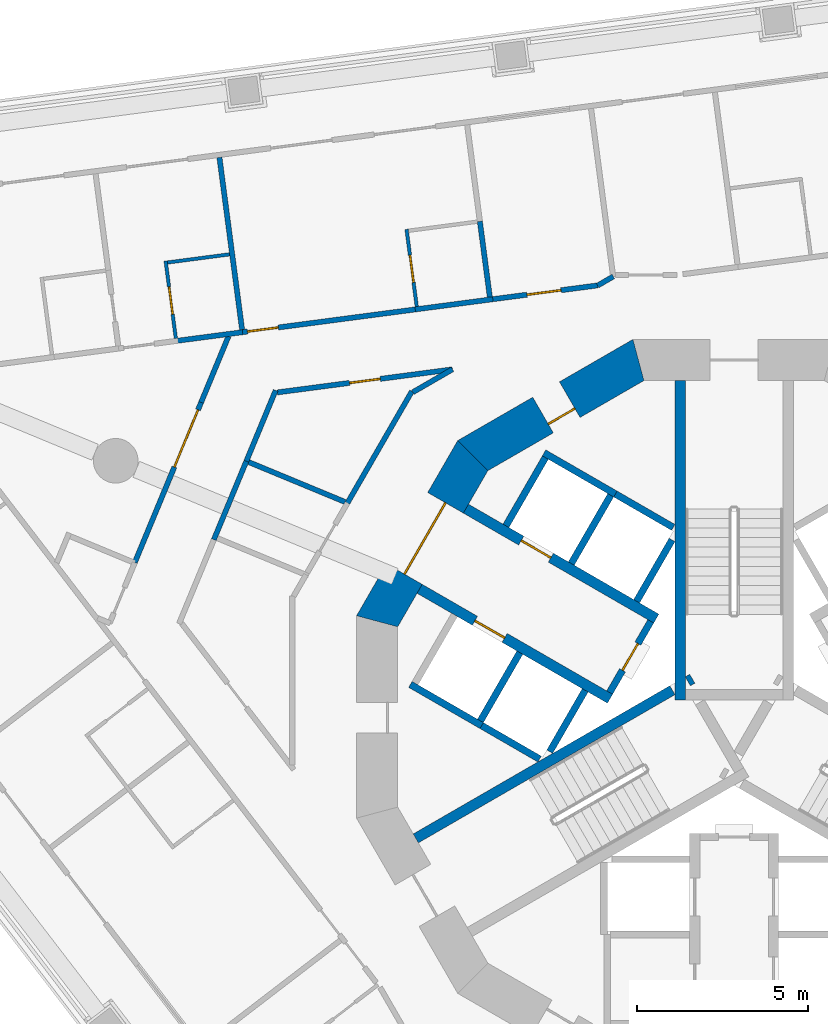
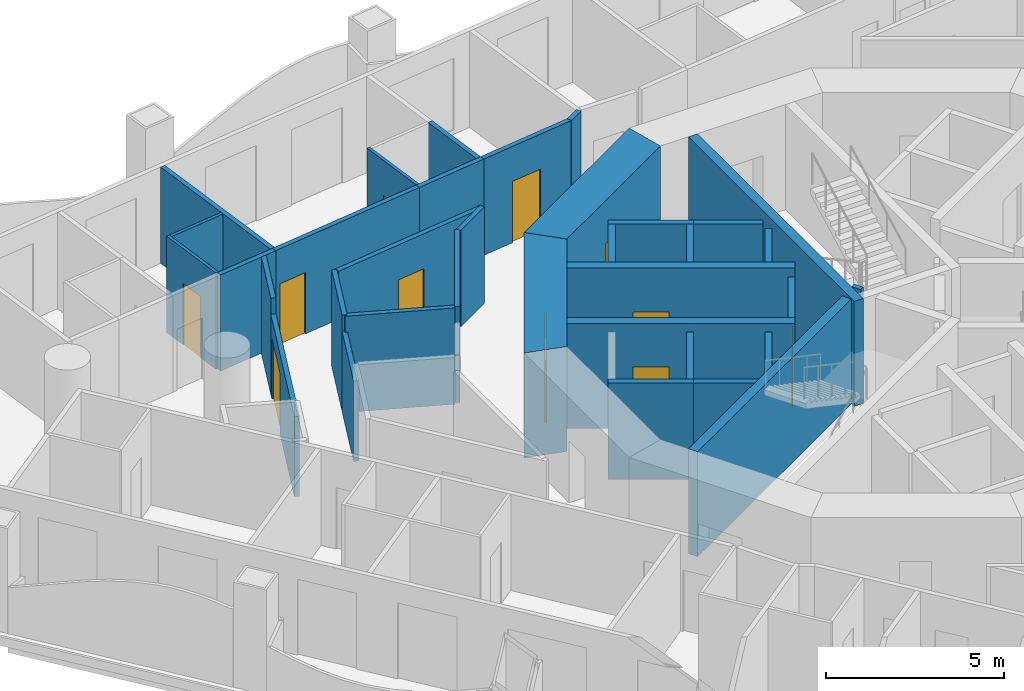
# One storey, part 7 of 19: 35 walls, 11 doors, 11 openings.
"""IFC4 building model written with IfcOpenShell, lengths in metres."""

from ifc_helpers import new_model, si_unit, direction, frame, frame_2d, origin, place, context, subcontext, project, spatial, polyline, rectangle, outline, extrude, material, layer, layer_set, type_object, element, fill, save


model = new_model("IFC4")

# Units and contexts
model_context = context("Model", 3, precision=1e-05, world=origin(), true_north=direction((0.0, 1.0)))
body_context = subcontext(model_context, "Body", "Model", "MODEL_VIEW")
ifc_project = project(units=[si_unit("LENGTHUNIT", "METRE"), si_unit("AREAUNIT", "SQUARE_METRE"), si_unit("VOLUMEUNIT", "CUBIC_METRE"), si_unit("PLANEANGLEUNIT", "RADIAN"), si_unit("MASSUNIT", "GRAM", prefix="KILO")], contexts=[model_context])

# Site, building, storey
site_placement = place(None, origin())
site = spatial("IfcSite", under=ifc_project, at=site_placement, CompositionType="ELEMENT")
building_placement = place(site_placement, origin())
building = spatial("IfcBuilding", under=site, at=building_placement, Name="Trine Commons Tower", CompositionType="ELEMENT")
storey_placement = place(building_placement, frame((0.0, 0.0, 75.60009765625)))
storey = spatial("IfcBuildingStorey", under=building, at=storey_placement, Name="L18", CompositionType="ELEMENT", Elevation=75.60009765625)

# Wall, opening, door
ifc_material_1 = material(Name="Fire-rated gypsum shaft wall system")
ifc_layer_1 = layer(ifc_material_1, 0.199951171875)
ifc_layer_set_1 = layer_set([ifc_layer_1], Name="Fire-rated gypsum shaft wall system")
wall_type_1 = type_object("IfcWallType", Name="Lobby end wall 200 mm, EI 120", PredefinedType="PARTITIONING", material=ifc_layer_set_1)
wall_1_placement = place(storey_placement, frame((77.569091796875, 65.2890625, 0.0), z_axis=(0.0, 0.0, 1.0), x_axis=(-0.50012165622, -0.865955154139, 0.0)))
wall_1 = element("IfcWall", 1, at=wall_1_placement, inside=storey, type_object=wall_type_1, Name="Lobby end wall L18", PredefinedType="PARTITIONING", context=body_context, shape_type="SweptSolid", body=[
    extrude(rectangle(XDim=2.39990234375, YDim=0.199951171875, at=frame_2d((1.199951171875, 0.0))), origin(), (0.0, 0.0, 1.0), 3.2998046875),
])
opening_1_placement = place(wall_1_placement, frame((0.749755859375, 0.0, 0.0)))
opening_1 = element("IfcOpeningElement", 2, at=opening_1_placement, cuts=wall_1, Name="Opening K05.07", PredefinedType="OPENING", context=body_context, shape_type="SweptSolid", body=[
    extrude(rectangle(XDim=0.89990234375, YDim=2.10009765625, at=frame_2d((0.449951171875, 1.050048828125))), frame((0.0, 0.10986328125, 0.0), z_axis=(0.0, -1.0, 0.0), x_axis=(1.0, 0.0, 0.0)), (0.0, 0.0, 1.0), 0.219970703125),
])
ifc_material_2 = material(Name="Steel door leaf, fire-rated", Category="steel")
door_type_1 = type_object("IfcDoorType", Name="Riser access door, single leaf 900 x 2100, FD60", OperationType="SINGLE_SWING_LEFT", PredefinedType="DOOR", material=ifc_material_2)
door_1_placement = place(opening_1_placement, frame((0.89990234375, 0.0, 0.0), z_axis=(0.0, 0.0, 1.0), x_axis=(-1.0, 0.0, 0.0)))
door_1 = element("IfcDoor", 3, at=door_1_placement, inside=storey, type_object=door_type_1, Name="Riser door, Mechanical riser L18", OperationType="SINGLE_SWING_RIGHT", OverallHeight=2.10009765625, OverallWidth=0.89990234375, PredefinedType="DOOR", context=body_context, shape_type="SweptSolid", body=[
    extrude(rectangle(XDim=0.89990234375, YDim=2.10009765625, at=frame_2d((0.449951171875, 1.050048828125))), frame((0.0, 0.02490234375, 0.0), z_axis=(0.0, -1.0, 0.0), x_axis=(1.0, 0.0, 0.0)), (0.0, 0.0, 1.0), 0.050048828125),
])
fill(opening_1, door_1)

ifc_material_3 = material(Name="Concrete C80/95", Category="concrete")
ifc_layer_2 = layer(ifc_material_3, 1.199951171875)
ifc_layer_set_2 = layer_set([ifc_layer_2], Name="Concrete C80/95")
wall_type_2 = type_object("IfcWallType", Name="RC shear wall 1200 mm, C80/95", PredefinedType="SHEAR", material=ifc_layer_set_2)
wall_2_placement = place(storey_placement, frame((77.349609375, 72.991943359375, 0.0), z_axis=(0.0, 0.0, 1.0), x_axis=(-0.866037463336, -0.499979111662, 0.0)))
wall_2 = element("IfcWall", 4, at=wall_2_placement, inside=storey, type_object=wall_type_2, Name="Core wall CWB-05 L18", PredefinedType="SHEAR", context=body_context, shape_type="SweptSolid", body=[
    extrude(outline(polyline([(0.0, -0.60009765625), (5.901123046875, -0.60009765625), (5.57958984375, 0.60009765625), (0.321533203125, 0.60009765625), (0.0, -0.60009765625)])), origin(), (0.0, 0.0, 1.0), 3.599853515625),
])
opening_2_placement = place(wall_2_placement, frame((2.474853515625, 0.0, 0.0)))
opening_2 = element("IfcOpeningElement", 5, at=opening_2_placement, cuts=wall_2, Name="Opening K05.12", PredefinedType="OPENING", context=body_context, shape_type="SweptSolid", body=[
    extrude(rectangle(XDim=0.89990234375, YDim=2.10009765625, at=frame_2d((0.449951171875, 1.050048828125))), frame((0.0, 0.60986328125, 0.0), z_axis=(0.0, -1.0, 0.0), x_axis=(1.0, 0.0, 0.0)), (0.0, 0.0, 1.0), 1.219970703125),
])
door_type_2 = type_object("IfcDoorType", Name="Core room door, single leaf 900 x 2100, FD30S", OperationType="SINGLE_SWING_LEFT", PredefinedType="DOOR", material=ifc_material_2)
door_2_placement = place(opening_2_placement, origin())
door_2 = element("IfcDoor", 6, at=door_2_placement, inside=storey, type_object=door_type_2, Name="Door to Accessible WC L18", OperationType="SINGLE_SWING_LEFT", OverallHeight=2.10009765625, OverallWidth=0.89990234375, PredefinedType="DOOR", context=body_context, shape_type="SweptSolid", body=[
    extrude(rectangle(XDim=0.89990234375, YDim=2.10009765625, at=frame_2d((0.449951171875, 1.050048828125))), frame((0.0, 0.3251953125, 0.0), z_axis=(0.0, -1.0, 0.0), x_axis=(1.0, 0.0, 0.0)), (0.0, 0.0, 1.0), 0.050048828125),
])
fill(opening_2, door_2)

wall_3_placement = place(storey_placement, frame((72.45849609375, 70.260986328125, 0.0), z_axis=(0.0, 0.0, 1.0), x_axis=(-0.499979111662, -0.866037463336, 0.0)))
wall_3 = element("IfcWall", 7, at=wall_3_placement, inside=storey, type_object=wall_type_2, Name="Core wall CWB-06 L18", PredefinedType="SHEAR", context=body_context, shape_type="SweptSolid", body=[
    extrude(outline(polyline([(0.0, -0.60009765625), (5.901123046875, -0.60009765625), (5.57958984375, 0.60009765625), (0.321533203125, 0.60009765625), (0.0, -0.60009765625)])), origin(), (0.0, 0.0, 1.0), 3.599853515625),
])
opening_3_placement = place(wall_3_placement, frame((1.75048828125, 0.0, 0.0)))
opening_3 = element("IfcOpeningElement", 8, at=opening_3_placement, cuts=wall_3, Name="Opening K05.06", PredefinedType="OPENING", context=body_context, shape_type="SweptSolid", body=[
    extrude(rectangle(XDim=2.39990234375, YDim=2.10009765625, at=frame_2d((1.199951171875, 1.050048828125))), frame((0.0, 0.60986328125, 0.0), z_axis=(0.0, -1.0, 0.0), x_axis=(1.0, 0.0, 0.0)), (0.0, 0.0, 1.0), 1.219970703125),
])
ifc_material_4 = material(Name="Steel door leaves, fire-rated", Category="steel")
door_type_3 = type_object("IfcDoorType", Name="Lobby door, double leaf 2400 x 2100, FD60", OperationType="DOUBLE_DOOR_SINGLE_SWING", PredefinedType="DOOR", material=ifc_material_4)
door_3_placement = place(opening_3_placement, origin())
door_3 = element("IfcDoor", 9, at=door_3_placement, inside=storey, type_object=door_type_3, Name="Lobby door, Passenger lift lobby B L18", OperationType="DOUBLE_DOOR_SINGLE_SWING", OverallHeight=2.10009765625, OverallWidth=2.39990234375, PredefinedType="DOOR", context=body_context, shape_type="SweptSolid", body=[
    extrude(rectangle(XDim=2.39990234375, YDim=2.10009765625, at=frame_2d((1.199951171875, 1.050048828125))), frame((0.0, 0.02490234375, 0.0), z_axis=(0.0, -1.0, 0.0), x_axis=(1.0, 0.0, 0.0)), (0.0, 0.0, 1.0), 0.050048828125),
])
fill(opening_3, door_3)

ifc_layer_3 = layer(ifc_material_3, 0.300048828125)
ifc_layer_set_3 = layer_set([ifc_layer_3], Name="Concrete C80/95")
wall_type_3 = type_object("IfcWallType", Name="RC shear wall 300 mm, C80/95", PredefinedType="SHEAR", material=ifc_layer_set_3)
wall_4_placement = place(storey_placement, frame((76.381103515625, 63.031005859375, 0.0), z_axis=(0.0, 0.0, 1.0), x_axis=(-0.866032150378, 0.499988314375, 0.0)))
wall_4 = element("IfcWall", 10, at=wall_4_placement, inside=storey, type_object=wall_type_3, Name="Core cross wall SWA-01 L18", PredefinedType="SHEAR", context=body_context, shape_type="SweptSolid", body=[
    extrude(rectangle(XDim=6.412353515625, YDim=0.300048828125, at=frame_2d((3.2060546875, 0.0))), origin(), (0.0, 0.0, 1.0), 3.599853515625),
])
opening_4_placement = place(wall_4_placement, frame((3.55029296875, 0.0, 0.0)))
opening_4 = element("IfcOpeningElement", 11, at=opening_4_placement, cuts=wall_4, Name="Opening LD3", PredefinedType="OPENING", context=body_context, shape_type="SweptSolid", body=[
    extrude(rectangle(XDim=1.0, YDim=2.10009765625, at=frame_2d((0.5, 1.050048828125))), frame((0.0, 0.159912109375, 0.0), z_axis=(0.0, -1.0, 0.0), x_axis=(1.0, 0.0, 0.0)), (0.0, 0.0, 1.0), 0.320068359375),
])
ifc_material_5 = material(Name="Stainless steel sliding door leaves", Category="steel")
door_type_4 = type_object("IfcDoorType", Name="Lift landing door, centre-opening sliding 1000 x 2100, FD90", OperationType="DOUBLE_DOOR_SLIDING", PredefinedType="DOOR", material=ifc_material_5)
door_4_placement = place(opening_4_placement, origin())
door_4 = element("IfcDoor", 12, at=door_4_placement, inside=storey, type_object=door_type_4, Name="Lift landing door LR3 L18", OperationType="DOUBLE_DOOR_SLIDING", OverallHeight=2.10009765625, OverallWidth=1.0, PredefinedType="DOOR", context=body_context, shape_type="SweptSolid", body=[
    extrude(rectangle(XDim=1.0, YDim=2.10009765625, at=frame_2d((0.5, 1.050048828125))), frame((0.0, 0.02490234375, 0.0), z_axis=(0.0, -1.0, 0.0), x_axis=(1.0, 0.0, 0.0)), (0.0, 0.0, 1.0), 0.050048828125),
])
fill(opening_4, door_4)

wall_5_placement = place(storey_placement, frame((77.73095703125, 65.368896484375, 0.0), z_axis=(0.0, 0.0, 1.0), x_axis=(-0.866022631842, 0.500004801114, 0.0)))
wall_5 = element("IfcWall", 13, at=wall_5_placement, inside=storey, type_object=wall_type_3, Name="Core cross wall SWA-02 L18", PredefinedType="SHEAR", context=body_context, shape_type="SweptSolid", body=[
    extrude(rectangle(XDim=6.412109375, YDim=0.300048828125, at=frame_2d((3.2060546875, 0.0))), origin(), (0.0, 0.0, 1.0), 3.599853515625),
])
opening_5_placement = place(wall_5_placement, frame((3.55029296875, 0.0, 0.0)))
opening_5 = element("IfcOpeningElement", 14, at=opening_5_placement, cuts=wall_5, Name="Opening LD4", PredefinedType="OPENING", context=body_context, shape_type="SweptSolid", body=[
    extrude(rectangle(XDim=1.0, YDim=2.10009765625, at=frame_2d((0.5, 1.050048828125))), frame((0.0, 0.159912109375, 0.0), z_axis=(0.0, -1.0, 0.0), x_axis=(1.0, 0.0, 0.0)), (0.0, 0.0, 1.0), 0.320068359375),
])
door_5_placement = place(opening_5_placement, origin())
door_5 = element("IfcDoor", 15, at=door_5_placement, inside=storey, type_object=door_type_4, Name="Lift landing door LR4 L18", OperationType="DOUBLE_DOOR_SLIDING", OverallHeight=2.10009765625, OverallWidth=1.0, PredefinedType="DOOR", context=body_context, shape_type="SweptSolid", body=[
    extrude(rectangle(XDim=1.0, YDim=2.10009765625, at=frame_2d((0.5, 1.050048828125))), frame((0.0, 0.02490234375, 0.0), z_axis=(0.0, -1.0, 0.0), x_axis=(1.0, 0.0, 0.0)), (0.0, 0.0, 1.0), 0.050048828125),
])
fill(opening_5, door_5)

# Walls
wall_6_placement = place(storey_placement, frame((78.199951171875, 63.280029296875, 0.0), z_axis=(0.0, 0.0, 1.0), x_axis=(-0.865965399159, -0.500103916661, 0.0)))
element("IfcWall", 16, at=wall_6_placement, inside=storey, type_object=wall_type_3, Name="Core cross wall SWA-07 L18", PredefinedType="SHEAR", context=body_context, shape_type="SweptSolid", body=[
    extrude(rectangle(XDim=8.642333984375, YDim=0.300048828125, at=frame_2d((4.3212890625, 0.0))), origin(), (0.0, 0.0, 1.0), 3.599853515625),
])
wall_7_placement = place(storey_placement, frame((78.425048828125, 63.0009765625, 0.0), z_axis=(0.0, 0.0, 1.0), x_axis=(0.0, 1.0, 0.0)))
element("IfcWall", 17, at=wall_7_placement, inside=storey, type_object=wall_type_3, Name="Core cross wall SWA-08 L18", PredefinedType="SHEAR", context=body_context, shape_type="SweptSolid", body=[
    extrude(rectangle(XDim=9.31103515625, YDim=0.300048828125, at=frame_2d((4.655517578125, 0.0))), origin(), (0.0, 0.0, 1.0), 3.599853515625),
])
wall_8_placement = place(storey_placement, frame((78.779052734375, 63.614013671875, 0.0), z_axis=(0.0, 0.0, 1.0), x_axis=(-0.867737973955, -0.497021939713, 0.0)))
element("IfcWall", 18, at=wall_8_placement, inside=storey, type_object=wall_type_3, Name="Core cross wall SWA-09 L18", PredefinedType="SHEAR", context=body_context, shape_type="SweptSolid", body=[
    extrude(rectangle(XDim=0.14892578125, YDim=0.300048828125, at=frame_2d((0.074462890625, 0.0))), origin(), (0.0, 0.0, 1.0), 3.599853515625),
])
ifc_layer_4 = layer(ifc_material_1, 0.199951171875)
ifc_layer_set_4 = layer_set([ifc_layer_4], Name="Fire-rated gypsum shaft wall system")
wall_type_4 = type_object("IfcWallType", Name="Shaft wall 200 mm, EI 120", PredefinedType="PARTITIONING", material=ifc_layer_set_4)
wall_9_placement = place(storey_placement, frame((72.637939453125, 62.248046875, 0.0), z_axis=(0.0, 0.0, 1.0), x_axis=(-0.866177122335, 0.499737123639, 0.0)))
element("IfcWall", 19, at=wall_9_placement, inside=storey, type_object=wall_type_4, Name="Shaft wall L18", PredefinedType="PARTITIONING", context=body_context, shape_type="SweptSolid", body=[
    extrude(rectangle(XDim=2.401123046875, YDim=0.199951171875, at=frame_2d((1.20068359375, 0.0))), origin(), (0.0, 0.0, 1.0), 3.2998046875),
])
wall_10_placement = place(storey_placement, frame((73.344970703125, 68.073974609375, 0.0), z_axis=(0.0, 0.0, 1.0), x_axis=(0.500215680983, 0.865900844496, 0.0)))
element("IfcWall", 20, at=wall_10_placement, inside=storey, type_object=wall_type_4, Name="Shaft wall L18", PredefinedType="PARTITIONING", context=body_context, shape_type="SweptSolid", body=[
    extrude(rectangle(XDim=2.29931640625, YDim=0.199951171875, at=frame_2d((1.149658203125, 0.0))), origin(), (0.0, 0.0, 1.0), 3.2998046875),
])
wall_11_placement = place(storey_placement, frame((73.7509765625, 64.3759765625, 0.0), z_axis=(0.0, 0.0, 1.0), x_axis=(-0.500136062276, -0.86594683394, 0.0)))
element("IfcWall", 21, at=wall_11_placement, inside=storey, type_object=wall_type_4, Name="Shaft wall L18", PredefinedType="PARTITIONING", context=body_context, shape_type="SweptSolid", body=[
    extrude(rectangle(XDim=2.299072265625, YDim=0.199951171875, at=frame_2d((1.1494140625, 0.0))), origin(), (0.0, 0.0, 1.0), 3.2998046875),
])
wall_12_placement = place(storey_placement, frame((74.324951171875, 61.27294921875, 0.0), z_axis=(0.0, 0.0, 1.0), x_axis=(-0.865780634835, 0.500423712812, 0.0)))
element("IfcWall", 22, at=wall_12_placement, inside=storey, type_object=wall_type_4, Name="Shaft wall L18", PredefinedType="PARTITIONING", context=body_context, shape_type="SweptSolid", body=[
    extrude(rectangle(XDim=1.948486328125, YDim=0.199951171875, at=frame_2d((0.97412109375, 0.0))), origin(), (0.0, 0.0, 1.0), 3.2998046875),
])
wall_13_placement = place(storey_placement, frame((75.2509765625, 66.97412109375, 0.0), z_axis=(0.0, 0.0, 1.0), x_axis=(0.500136062276, 0.86594683394, 0.0)))
element("IfcWall", 23, at=wall_13_placement, inside=storey, type_object=wall_type_4, Name="Shaft wall L18", PredefinedType="PARTITIONING", context=body_context, shape_type="SweptSolid", body=[
    extrude(rectangle(XDim=2.299072265625, YDim=0.199951171875, at=frame_2d((1.1494140625, 0.0))), origin(), (0.0, 0.0, 1.0), 3.2998046875),
])
wall_14_placement = place(storey_placement, frame((75.656005859375, 63.27587890625, 0.0), z_axis=(0.0, 0.0, 1.0), x_axis=(-0.500271688072, -0.86586848777, 0.0)))
element("IfcWall", 24, at=wall_14_placement, inside=storey, type_object=wall_type_4, Name="Shaft wall L18", PredefinedType="PARTITIONING", context=body_context, shape_type="SweptSolid", body=[
    extrude(rectangle(XDim=2.064697265625, YDim=0.199951171875, at=frame_2d((1.0322265625, 0.0))), origin(), (0.0, 0.0, 1.0), 3.2998046875),
])
wall_15_placement = place(storey_placement, frame((76.5380859375, 69.001953125, 0.0), z_axis=(0.0, 0.0, 1.0), x_axis=(-0.866202511239, 0.499693115345, 0.0)))
element("IfcWall", 25, at=wall_15_placement, inside=storey, type_object=wall_type_4, Name="Shaft wall L18", PredefinedType="PARTITIONING", context=body_context, shape_type="SweptSolid", body=[
    extrude(rectangle(XDim=2.4013671875, YDim=0.199951171875, at=frame_2d((1.20068359375, 0.0))), origin(), (0.0, 0.0, 1.0), 3.2998046875),
])
wall_16_placement = place(storey_placement, frame((77.156005859375, 65.8740234375, 0.0), z_axis=(0.0, 0.0, 1.0), x_axis=(0.499865770674, 0.866102887253, 0.0)))
element("IfcWall", 26, at=wall_16_placement, inside=storey, type_object=wall_type_4, Name="Shaft wall L18", PredefinedType="PARTITIONING", context=body_context, shape_type="SweptSolid", body=[
    extrude(rectangle(XDim=2.064453125, YDim=0.199951171875, at=frame_2d((1.0322265625, 0.0))), origin(), (0.0, 0.0, 1.0), 3.2998046875),
])
wall_17_placement = place(storey_placement, frame((78.22509765625, 68.028076171875, 0.0), z_axis=(0.0, 0.0, 1.0), x_axis=(-0.866052014814, 0.499953905513, 0.0)))
element("IfcWall", 27, at=wall_17_placement, inside=storey, type_object=wall_type_4, Name="Shaft wall L18", PredefinedType="PARTITIONING", context=body_context, shape_type="SweptSolid", body=[
    extrude(rectangle(XDim=1.947998046875, YDim=0.199951171875, at=frame_2d((0.97412109375, 0.0))), origin(), (0.0, 0.0, 1.0), 3.2998046875),
])

# Wall, opening, door
ifc_material_6 = material(Name="Gypsum plasterboard on steel stud", Category="steel")
ifc_layer_5 = layer(ifc_material_6, 0.14990234375)
ifc_layer_set_5 = layer_set([ifc_layer_5], Name="Gypsum plasterboard on steel stud")
wall_type_5 = type_object("IfcWallType", Name="Unit and corridor wall 150 mm, EI 60", PredefinedType="PARTITIONING", material=ifc_layer_set_5)
wall_18_placement = place(storey_placement, frame((62.52197265625, 67.007080078125, 0.0), z_axis=(0.0, 0.0, 1.0), x_axis=(0.382650715136, 0.923893083753, 0.0)))
wall_18 = element("IfcWall", 28, at=wall_18_placement, inside=storey, type_object=wall_type_5, Name="Partition 022", PredefinedType="PARTITIONING", context=body_context, shape_type="SweptSolid", body=[
    extrude(rectangle(XDim=5.04931640625, YDim=0.14990234375, at=frame_2d((2.524658203125, 0.0))), origin(), (0.0, 0.0, 1.0), 2.75),
])
opening_6_placement = place(wall_18_placement, frame((3.014404296875, 0.0, 0.0)))
opening_6 = element("IfcOpeningElement", 29, at=opening_6_placement, cuts=wall_18, Name="Opening D-2C03", PredefinedType="OPENING", context=body_context, shape_type="SweptSolid", body=[
    extrude(rectangle(XDim=1.800048828125, YDim=2.10009765625, at=frame_2d((0.89990234375, 1.050048828125))), frame((0.0, 0.0849609375, 0.0), z_axis=(0.0, -1.0, 0.0), x_axis=(1.0, 0.0, 0.0)), (0.0, 0.0, 1.0), 0.169921875),
])
ifc_material_7 = material(Name="Timber fire door set", Category="wood")
door_type_5 = type_object("IfcDoorType", Name="Cluster entrance door 1800 x 2100, double leaf, FD30S", OperationType="DOUBLE_DOOR_DOUBLE_SWING", PredefinedType="DOOR", material=ifc_material_7)
door_6_placement = place(opening_6_placement, origin())
door_6 = element("IfcDoor", 30, at=door_6_placement, inside=storey, type_object=door_type_5, Name="Door D-2C03", OperationType="DOUBLE_DOOR_DOUBLE_SWING", OverallHeight=2.10009765625, OverallWidth=1.800048828125, PredefinedType="DOOR", context=body_context, shape_type="SweptSolid", body=[
    extrude(rectangle(XDim=1.800048828125, YDim=2.10009765625, at=frame_2d((0.89990234375, 1.050048828125))), frame((0.0, 0.02490234375, 0.0), z_axis=(0.0, -1.0, 0.0), x_axis=(1.0, 0.0, 0.0)), (0.0, 0.0, 1.0), 0.050048828125),
])
fill(opening_6, door_6)

# Walls
wall_19_placement = place(storey_placement, frame((63.722900390625, 73.467041015625, 0.0), z_axis=(0.0, 0.0, 1.0), x_axis=(0.991489487772, 0.130186772134, 0.0)))
element("IfcWall", 31, at=wall_19_placement, inside=storey, type_object=wall_type_5, Name="Partition 026", PredefinedType="PARTITIONING", context=body_context, shape_type="SweptSolid", body=[
    extrude(rectangle(XDim=1.957763671875, YDim=0.14990234375, at=frame_2d((0.97900390625, 0.0))), origin(), (0.0, 0.0, 1.0), 3.2998046875),
])
wall_20_placement = place(storey_placement, frame((64.4541015625, 71.672119140625, 0.0), z_axis=(0.0, 0.0, 1.0), x_axis=(0.382922635391, 0.923780415091, 0.0)))
element("IfcWall", 32, at=wall_20_placement, inside=storey, type_object=wall_type_5, Name="Partition 029", PredefinedType="PARTITIONING", context=body_context, shape_type="SweptSolid", body=[
    extrude(rectangle(XDim=2.08984375, YDim=0.14990234375, at=frame_2d((1.044921875, 0.0))), origin(), (0.0, 0.0, 1.0), 3.2998046875),
])
wall_21_placement = place(storey_placement, frame((64.826416015625, 67.671630859375, 0.0), z_axis=(0.0, 0.0, 1.0), x_axis=(0.382785873713, 0.923837093261, 0.0)))
element("IfcWall", 33, at=wall_21_placement, inside=storey, type_object=wall_type_5, Name="Partition 031", PredefinedType="PARTITIONING", context=body_context, shape_type="SweptSolid", body=[
    extrude(rectangle(XDim=2.483642578125, YDim=0.14990234375, at=frame_2d((1.24169921875, 0.0))), origin(), (0.0, 0.0, 1.0), 2.75),
])
wall_22_placement = place(storey_placement, frame((64.9892578125, 78.8173828125, 0.0), z_axis=(0.0, 0.0, 1.0), x_axis=(0.130499406053, -0.991448387471, 0.0)))
element("IfcWall", 34, at=wall_22_placement, inside=storey, type_object=wall_type_5, Name="Partition 033", PredefinedType="PARTITIONING", context=body_context, shape_type="SweptSolid", body=[
    extrude(rectangle(XDim=5.064208984375, YDim=0.14990234375, at=frame_2d((2.5322265625, 0.0))), origin(), (0.0, 0.0, 1.0), 3.2998046875),
])

# Wall, opening, door
wall_23_placement = place(storey_placement, frame((65.656005859375, 73.720947265625, 0.0), z_axis=(0.0, 0.0, 1.0), x_axis=(0.991434260867, 0.130606685815, 0.0)))
wall_23 = element("IfcWall", 35, at=wall_23_placement, inside=storey, type_object=wall_type_5, Name="Partition 034", PredefinedType="PARTITIONING", context=body_context, shape_type="SweptSolid", body=[
    extrude(rectangle(XDim=5.146240234375, YDim=0.14990234375, at=frame_2d((2.5732421875, 0.0))), origin(), (0.0, 0.0, 1.0), 3.2998046875),
])
opening_7_placement = place(wall_23_placement, frame((0.154052734375, 0.0, 0.0)))
opening_7 = element("IfcOpeningElement", 36, at=opening_7_placement, cuts=wall_23, Name="Opening D-2C09", PredefinedType="OPENING", context=body_context, shape_type="SweptSolid", body=[
    extrude(rectangle(XDim=0.89990234375, YDim=2.10009765625, at=frame_2d((0.449951171875, 1.050048828125))), frame((0.0, 0.0849609375, 0.0), z_axis=(0.0, -1.0, 0.0), x_axis=(1.0, 0.0, 0.0)), (0.0, 0.0, 1.0), 0.169921875),
])
door_type_6 = type_object("IfcDoorType", Name="Bedroom door 900 x 2100, FD30S", OperationType="NOTDEFINED", PredefinedType="DOOR", material=ifc_material_7)
door_7_placement = place(opening_7_placement, origin())
door_7 = element("IfcDoor", 37, at=door_7_placement, inside=storey, type_object=door_type_6, Name="Door D-2C09", OperationType="SINGLE_SWING_LEFT", OverallHeight=2.10009765625, OverallWidth=0.89990234375, PredefinedType="DOOR", context=body_context, shape_type="SweptSolid", body=[
    extrude(rectangle(XDim=0.89990234375, YDim=2.10009765625, at=frame_2d((0.449951171875, 1.050048828125))), frame((0.0, 0.02490234375, 0.0), z_axis=(0.0, -1.0, 0.0), x_axis=(1.0, 0.0, 0.0)), (0.0, 0.0, 1.0), 0.050048828125),
])
fill(opening_7, door_7)

# Walls
wall_24_placement = place(storey_placement, frame((65.77392578125, 69.9580078125, 0.0), z_axis=(0.0, 0.0, 1.0), x_axis=(0.382599241046, 0.923914401203, 0.0)))
element("IfcWall", 38, at=wall_24_placement, inside=storey, type_object=wall_type_5, Name="Partition 035", PredefinedType="PARTITIONING", context=body_context, shape_type="SweptSolid", body=[
    extrude(rectangle(XDim=2.236572265625, YDim=0.14990234375, at=frame_2d((1.1181640625, 0.0))), origin(), (0.0, 0.0, 1.0), 3.2998046875),
])
wall_25_placement = place(storey_placement, frame((65.77490234375, 69.9619140625, 0.0), z_axis=(0.0, 0.0, 1.0), x_axis=(0.923918484918, -0.382589379397, 0.0)))
element("IfcWall", 39, at=wall_25_placement, inside=storey, type_object=wall_type_5, Name="Partition 036", PredefinedType="PARTITIONING", context=body_context, shape_type="SweptSolid", body=[
    extrude(rectangle(XDim=3.115966796875, YDim=0.14990234375, at=frame_2d((1.55810546875, 0.0))), origin(), (0.0, 0.0, 1.0), 3.2998046875),
])

# Wall, opening, door
wall_26_placement = place(storey_placement, frame((66.67529296875, 71.96484375, 0.0), z_axis=(0.0, 0.0, 1.0), x_axis=(0.991459293276, 0.130416524172, 0.0)))
wall_26 = element("IfcWall", 40, at=wall_26_placement, inside=storey, type_object=wall_type_5, Name="Partition 037", PredefinedType="PARTITIONING", context=body_context, shape_type="SweptSolid", body=[
    extrude(rectangle(XDim=5.153564453125, YDim=0.14990234375, at=frame_2d((2.57666015625, 0.0))), origin(), (0.0, 0.0, 1.0), 3.2998046875),
])
opening_8_placement = place(wall_26_placement, frame((2.1259765625, 0.0, 0.0)))
opening_8 = element("IfcOpeningElement", 41, at=opening_8_placement, cuts=wall_26, Name="Opening D-2C38", PredefinedType="OPENING", context=body_context, shape_type="SweptSolid", body=[
    extrude(rectangle(XDim=0.89990234375, YDim=2.10009765625, at=frame_2d((0.449951171875, 1.050048828125))), frame((0.0, 0.0849609375, 0.0), z_axis=(0.0, -1.0, 0.0), x_axis=(1.0, 0.0, 0.0)), (0.0, 0.0, 1.0), 0.169921875),
])
door_type_7 = type_object("IfcDoorType", Name="Service door 900 x 2100, FD30S", OperationType="NOTDEFINED", PredefinedType="DOOR", material=ifc_material_7)
door_8_placement = place(opening_8_placement, frame((0.89990234375, 0.0, 0.0), z_axis=(0.0, 0.0, 1.0), x_axis=(-1.0, 0.0, 0.0)))
door_8 = element("IfcDoor", 42, at=door_8_placement, inside=storey, type_object=door_type_7, Name="Door D-2C38", OperationType="SINGLE_SWING_RIGHT", OverallHeight=2.10009765625, OverallWidth=0.89990234375, PredefinedType="DOOR", context=body_context, shape_type="SweptSolid", body=[
    extrude(rectangle(XDim=0.89990234375, YDim=2.10009765625, at=frame_2d((0.449951171875, 1.050048828125))), frame((0.0, 0.02490234375, 0.0), z_axis=(0.0, -1.0, 0.0), x_axis=(1.0, 0.0, 0.0)), (0.0, 0.0, 1.0), 0.050048828125),
])
fill(opening_8, door_8)

# Walls
wall_27_placement = place(storey_placement, frame((68.720947265625, 68.737060546875, 0.0), z_axis=(0.0, 0.0, 1.0), x_axis=(0.499855260579, 0.866108953002, 0.0)))
element("IfcWall", 43, at=wall_27_placement, inside=storey, type_object=wall_type_5, Name="Partition 044", PredefinedType="PARTITIONING", context=body_context, shape_type="SweptSolid", body=[
    extrude(rectangle(XDim=3.76611328125, YDim=0.14990234375, at=frame_2d((1.883056640625, 0.0))), origin(), (0.0, 0.0, 1.0), 3.2998046875),
])
wall_28_placement = place(storey_placement, frame((70.630859375, 71.971435546875, 0.0), z_axis=(0.0, 0.0, 1.0), x_axis=(0.865822790046, 0.500350773195, 0.0)))
element("IfcWall", 44, at=wall_28_placement, inside=storey, type_object=wall_type_5, Name="Partition 051", PredefinedType="PARTITIONING", context=body_context, shape_type="SweptSolid", body=[
    extrude(rectangle(XDim=1.333984375, YDim=0.14990234375, at=frame_2d((0.6669921875, 0.0))), origin(), (0.0, 0.0, 1.0), 3.2998046875),
])
wall_29_placement = place(storey_placement, frame((70.700439453125, 74.385498046875, 0.0), z_axis=(0.0, 0.0, 1.0), x_axis=(0.991421134071, 0.13070629257, 0.0)))
element("IfcWall", 45, at=wall_29_placement, inside=storey, type_object=wall_type_5, Name="Partition 053", PredefinedType="PARTITIONING", context=body_context, shape_type="SweptSolid", body=[
    extrude(rectangle(XDim=2.282470703125, YDim=0.14990234375, at=frame_2d((1.14111328125, 0.0))), origin(), (0.0, 0.0, 1.0), 3.2998046875),
])
wall_30_placement = place(storey_placement, frame((72.5849609375, 76.9541015625, 0.0), z_axis=(0.0, 0.0, 1.0), x_axis=(0.130417626648, -0.991459148255, 0.0)))
element("IfcWall", 46, at=wall_30_placement, inside=storey, type_object=wall_type_5, Name="Partition 057", PredefinedType="PARTITIONING", context=body_context, shape_type="SweptSolid", body=[
    extrude(rectangle(XDim=2.225830078125, YDim=0.14990234375, at=frame_2d((1.11279296875, 0.0))), origin(), (0.0, 0.0, 1.0), 3.2998046875),
])

# Wall, opening, door
wall_31_placement = place(storey_placement, frame((72.881103515625, 74.673095703125, 0.0), z_axis=(0.0, 0.0, 1.0), x_axis=(0.991447742753, 0.130504304105, 0.0)))
wall_31 = element("IfcWall", 47, at=wall_31_placement, inside=storey, type_object=wall_type_5, Name="Partition 058", PredefinedType="PARTITIONING", context=body_context, shape_type="SweptSolid", body=[
    extrude(rectangle(XDim=3.1708984375, YDim=0.14990234375, at=frame_2d((1.58544921875, 0.0))), origin(), (0.0, 0.0, 1.0), 3.2998046875),
])
opening_9_placement = place(wall_31_placement, frame((1.087646484375, 0.0, 0.0)))
opening_9 = element("IfcOpeningElement", 48, at=opening_9_placement, cuts=wall_31, Name="Opening D-2C10", PredefinedType="OPENING", context=body_context, shape_type="SweptSolid", body=[
    extrude(rectangle(XDim=1.0, YDim=2.10009765625, at=frame_2d((0.5, 1.050048828125))), frame((0.0, 0.0849609375, 0.0), z_axis=(0.0, -1.0, 0.0), x_axis=(1.0, 0.0, 0.0)), (0.0, 0.0, 1.0), 0.169921875),
])
ifc_material_8 = material(Name="Painted timber", Category="wood")
door_type_8 = type_object("IfcDoorType", Name="Toilet door 1000 x 2100, NOT RATED", OperationType="NOTDEFINED", PredefinedType="DOOR", material=ifc_material_8)
door_9_placement = place(opening_9_placement, origin())
door_9 = element("IfcDoor", 49, at=door_9_placement, inside=storey, type_object=door_type_8, Name="Door D-2C10", OperationType="SINGLE_SWING_RIGHT", OverallHeight=2.10009765625, OverallWidth=1.0, PredefinedType="DOOR", context=body_context, shape_type="SweptSolid", body=[
    extrude(rectangle(XDim=1.0, YDim=2.10009765625, at=frame_2d((0.5, 1.050048828125))), frame((0.0, 0.02490234375, 0.0), z_axis=(0.0, -1.0, 0.0), x_axis=(1.0, 0.0, 0.0)), (0.0, 0.0, 1.0), 0.050048828125),
])
fill(opening_9, door_9)

# Wall
wall_32_placement = place(storey_placement, frame((76.01806640625, 75.08203125, 0.0), z_axis=(0.0, 0.0, 1.0), x_axis=(0.866446896963, 0.499269240734, 0.0)))
element("IfcWall", 50, at=wall_32_placement, inside=storey, type_object=wall_type_5, Name="Partition 067", PredefinedType="PARTITIONING", context=body_context, shape_type="SweptSolid", body=[
    extrude(rectangle(XDim=0.528564453125, YDim=0.14990234375, at=frame_2d((0.26416015625, 0.0))), origin(), (0.0, 0.0, 1.0), 3.2998046875),
])

# Wall, opening, door
ifc_layer_6 = layer(ifc_material_6, 0.10009765625)
ifc_layer_set_6 = layer_set([ifc_layer_6], Name="Gypsum plasterboard on steel stud")
wall_type_6 = type_object("IfcWallType", Name="Unit partition 100 mm, no rating", PredefinedType="PARTITIONING", material=ifc_layer_set_6)
wall_33_placement = place(storey_placement, frame((63.42041015625, 75.797607421875, 0.0), z_axis=(0.0, 0.0, 1.0), x_axis=(0.130518372124, -0.991445890878, 0.0)))
wall_33 = element("IfcWall", 51, at=wall_33_placement, inside=storey, type_object=wall_type_6, Name="Partition 023", PredefinedType="PARTITIONING", context=body_context, shape_type="SweptSolid", body=[
    extrude(rectangle(XDim=2.274658203125, YDim=0.10009765625, at=frame_2d((1.13720703125, 0.0))), origin(), (0.0, 0.0, 1.0), 3.2998046875),
])
opening_10_placement = place(wall_33_placement, frame((0.76220703125, 0.0, 0.0)))
opening_10 = element("IfcOpeningElement", 52, at=opening_10_placement, cuts=wall_33, Name="Opening D-2C43", PredefinedType="OPENING", context=body_context, shape_type="SweptSolid", body=[
    extrude(rectangle(XDim=0.800048828125, YDim=2.10009765625, at=frame_2d((0.39990234375, 1.050048828125))), frame((0.0, 0.06005859375, 0.0), z_axis=(0.0, -1.0, 0.0), x_axis=(1.0, 0.0, 0.0)), (0.0, 0.0, 1.0), 0.1201171875),
])
door_type_9 = type_object("IfcDoorType", Name="Internal door 800 x 2100, NOT RATED", OperationType="NOTDEFINED", PredefinedType="DOOR", material=ifc_material_8)
door_10_placement = place(opening_10_placement, frame((0.800048828125, 0.0, 0.0), z_axis=(0.0, 0.0, 1.0), x_axis=(-1.0, 0.0, 0.0)))
door_10 = element("IfcDoor", 53, at=door_10_placement, inside=storey, type_object=door_type_9, Name="Door D-2C43", OperationType="SINGLE_SWING_LEFT", OverallHeight=2.10009765625, OverallWidth=0.800048828125, PredefinedType="DOOR", context=body_context, shape_type="SweptSolid", body=[
    extrude(rectangle(XDim=0.800048828125, YDim=2.10009765625, at=frame_2d((0.39990234375, 1.050048828125))), frame((0.0, 0.02490234375, 0.0), z_axis=(0.0, -1.0, 0.0), x_axis=(1.0, 0.0, 0.0)), (0.0, 0.0, 1.0), 0.050048828125),
])
fill(opening_10, door_10)

# Wall
wall_34_placement = place(storey_placement, frame((63.4765625, 75.75439453125, 0.0), z_axis=(0.0, 0.0, 1.0), x_axis=(0.991471592706, 0.13032298668, 0.0)))
element("IfcWall", 54, at=wall_34_placement, inside=storey, type_object=wall_type_6, Name="Partition 024", PredefinedType="PARTITIONING", context=body_context, shape_type="SweptSolid", body=[
    extrude(rectangle(XDim=1.82470703125, YDim=0.10009765625, at=frame_2d((0.912353515625, 0.0))), origin(), (0.0, 0.0, 1.0), 3.2998046875),
])

# Wall, opening, door
wall_35_placement = place(storey_placement, frame((70.446533203125, 76.72265625, 0.0), z_axis=(0.0, 0.0, 1.0), x_axis=(0.130820949101, -0.991406011317, 0.0)))
wall_35 = element("IfcWall", 55, at=wall_35_placement, inside=storey, type_object=wall_type_6, Name="Partition 049", PredefinedType="PARTITIONING", context=body_context, shape_type="SweptSolid", body=[
    extrude(rectangle(XDim=2.27490234375, YDim=0.10009765625, at=frame_2d((1.137451171875, 0.0))), origin(), (0.0, 0.0, 1.0), 3.2998046875),
])
opening_11_placement = place(wall_35_placement, frame((0.762451171875, 0.0, 0.0)))
opening_11 = element("IfcOpeningElement", 56, at=opening_11_placement, cuts=wall_35, Name="Opening D-2C44", PredefinedType="OPENING", context=body_context, shape_type="SweptSolid", body=[
    extrude(rectangle(XDim=0.800048828125, YDim=2.10009765625, at=frame_2d((0.39990234375, 1.050048828125))), frame((0.0, 0.06005859375, 0.0), z_axis=(0.0, -1.0, 0.0), x_axis=(1.0, 0.0, 0.0)), (0.0, 0.0, 1.0), 0.1201171875),
])
door_11_placement = place(opening_11_placement, frame((0.800048828125, 0.0, 0.0), z_axis=(0.0, 0.0, 1.0), x_axis=(-1.0, 0.0, 0.0)))
door_11 = element("IfcDoor", 57, at=door_11_placement, inside=storey, type_object=door_type_9, Name="Door D-2C44", OperationType="SINGLE_SWING_LEFT", OverallHeight=2.10009765625, OverallWidth=0.800048828125, PredefinedType="DOOR", context=body_context, shape_type="SweptSolid", body=[
    extrude(rectangle(XDim=0.800048828125, YDim=2.10009765625, at=frame_2d((0.39990234375, 1.050048828125))), frame((0.0, 0.02490234375, 0.0), z_axis=(0.0, -1.0, 0.0), x_axis=(1.0, 0.0, 0.0)), (0.0, 0.0, 1.0), 0.050048828125),
])
fill(opening_11, door_11)

save(model, "model.ifc")
